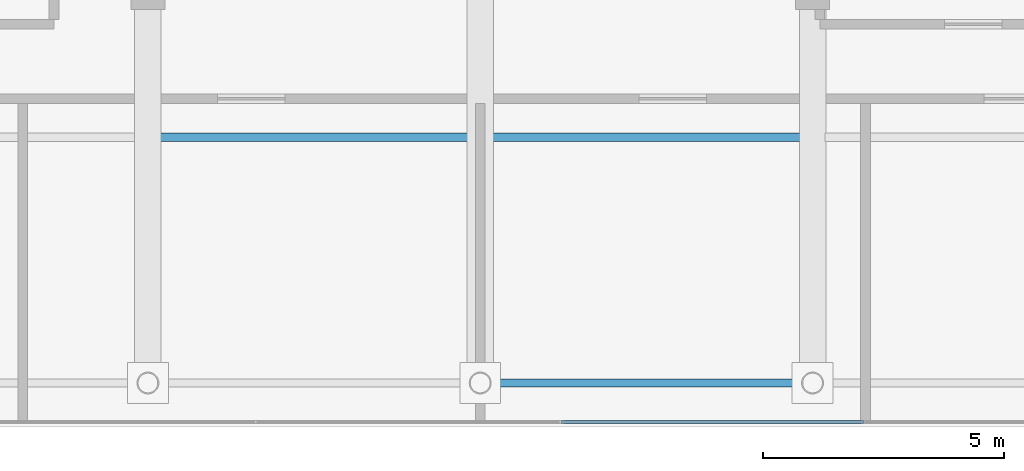
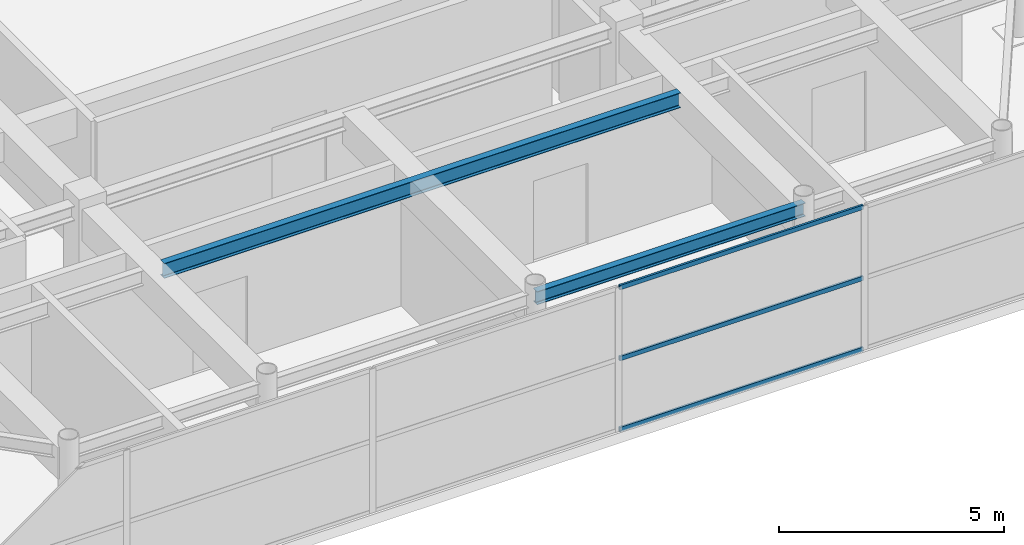
# One storey, part 8 of 32: 3 members, 2 beams, 1 element without a shape of its own.
"""IFC4 building model written with IfcOpenShell, lengths in metres."""

from ifc_helpers import new_model, si_unit, direction, frame, origin, origin_2d, place, context, subcontext, project, spatial, hollow_rectangle, i_section, extrude, source, transform, mapped, material, layer, layer_set, material_profile, profile_set, type_object, element, aggregate, save


model = new_model("IFC4")

# Units and contexts
model_context = context("Model", 3, precision=1e-05, world=origin(), true_north=direction((0.0, 1.0)))
body_context = subcontext(model_context, "Body", "Model", "MODEL_VIEW")
ifc_project = project(units=[si_unit("LENGTHUNIT", "METRE"), si_unit("AREAUNIT", "SQUARE_METRE"), si_unit("VOLUMEUNIT", "CUBIC_METRE"), si_unit("PLANEANGLEUNIT", "RADIAN"), si_unit("MASSUNIT", "GRAM", prefix="KILO")], contexts=[model_context])

# Site, building, storey
site_placement = place(None, origin())
site = spatial("IfcSite", under=ifc_project, at=site_placement, CompositionType="ELEMENT")
building_placement = place(site_placement, origin())
building = spatial("IfcBuilding", under=site, at=building_placement, Name="Khoralis Quay Care Tower", CompositionType="ELEMENT")
storey_placement = place(building_placement, frame((0.0, 0.0, 293.699951171875)))
storey = spatial("IfcBuildingStorey", under=building, at=storey_placement, Name="L77", CompositionType="ELEMENT", Elevation=293.699951171875)

# Beams
ifc_material_1 = material(Name="Steel S355", Category="steel")
ifc_material_profile_1 = material_profile(ifc_material_1, i_section(OverallWidth=0.169921875, OverallDepth=0.360107421875, WebThickness=0.008056640625, FlangeThickness=0.0126953125, FilletRadius=0.01806640625, at=origin_2d()), Name="Steel S355")
ifc_profile_set_1 = profile_set([ifc_material_profile_1], Name="Steel S355")
beam_type_1 = type_object("IfcBeamType", Name="BM-IPE360", PredefinedType="SPANDREL", material=ifc_profile_set_1)
shared_shape_1 = source(origin(), body_context, "Body", "SweptSolid", [
    extrude(i_section(OverallWidth=0.169921875, OverallDepth=0.360107421875, WebThickness=0.008056640625, FlangeThickness=0.0126953125, FilletRadius=0.01806640625, at=origin_2d()), origin(), (0.0, 0.0, 1.0), 6.89990234375),
])
beam_1_placement = place(storey_placement, frame((24.0, 3.89990234375, 3.739990234375), z_axis=(1.0, 0.0, 0.0), x_axis=(0.0, 1.0, 0.0)))
element("IfcBeam", 1, at=beam_1_placement, inside=storey, type_object=beam_type_1, Name="BM-TSP-L77-03", PredefinedType="SPANDREL", context=body_context, shape_type="MappedRepresentation", body=[
    mapped(shared_shape_1, transform((0.0, 0.0, 0.0), scale=1.0)),
])
ifc_material_profile_2 = material_profile(ifc_material_1, i_section(OverallWidth=0.177978515625, OverallDepth=0.406982421875, WebThickness=0.0078125, FlangeThickness=0.0126953125, FilletRadius=0.012939453125, at=origin_2d()), Name="Steel S355")
ifc_profile_set_2 = profile_set([ifc_material_profile_2], Name="Steel S355")
beam_type_2 = type_object("IfcBeamType", Name="BM-W410X60", PredefinedType="JOIST", material=ifc_profile_set_2)
shared_shape_2 = source(origin(), body_context, "Body", "SweptSolid", [
    extrude(i_section(OverallWidth=0.177978515625, OverallDepth=0.406982421875, WebThickness=0.0078125, FlangeThickness=0.0126953125, FilletRadius=0.012939453125, at=origin_2d()), origin(), (0.0, 0.0, 1.0), 13.27392578125),
])
beam_2_placement = place(storey_placement, frame((17.363037109375, 9.0, 3.716552734375), z_axis=(1.0, 0.0, 0.0), x_axis=(0.0, 1.0, 0.0)))
element("IfcBeam", 2, at=beam_2_placement, inside=storey, type_object=beam_type_2, Name="BM-TJS-L77-23", PredefinedType="JOIST", context=body_context, shape_type="MappedRepresentation", body=[
    mapped(shared_shape_2, transform((0.0, 0.0, 0.0), scale=1.0)),
])

# Curtain wall, members
ifc_material_2 = material(Name="Pale anodised aluminium", Category="aluminium")
ifc_layer = layer(ifc_material_2, 0.199951171875)
ifc_layer_set = layer_set([ifc_layer], Name="Pale anodised aluminium")
curtain_wall_type = type_object("IfcCurtainWallType", Name="CW-SYS-LANTERN", PredefinedType="NOTDEFINED", material=ifc_layer_set)
curtain_wall_placement = place(storey_placement, origin())
curtain_wall = element("IfcCurtainWall", 3, at=curtain_wall_placement, inside=storey, type_object=curtain_wall_type, Name="L77 Unitised Curtain Wall CW-LN-L77-01", PredefinedType="NOTDEFINED")
ifc_material_profile_3 = material_profile(ifc_material_2, hollow_rectangle(XDim=0.054931640625, YDim=0.1201171875, WallThickness=0.00390625, at=origin_2d()), Name="Pale anodised aluminium")
ifc_profile_set_3 = profile_set([ifc_material_profile_3], Name="Pale anodised aluminium")
member_type = type_object("IfcMemberType", Name="CW-TRN-120", PredefinedType="USERDEFINED", material=ifc_profile_set_3)
shared_shape_3 = source(origin(), body_context, "Body", "SweptSolid", [
    extrude(hollow_rectangle(XDim=0.054931640625, YDim=0.1201171875, WallThickness=0.00390625, at=origin_2d()), origin(), (0.0, 0.0, 1.0), 6.26416015625),
])
member_1_placement = place(storey_placement, frame((25.69189453125, 3.090087890625, 0.030029296875), z_axis=(1.0, 0.0, 0.0), x_axis=(0.0, 1.0, 0.0)))
member_1 = element("IfcMember", 4, at=member_1_placement, type_object=member_type, Name="CW5 transom 4.1", ObjectType="TRANSOM", PredefinedType="USERDEFINED", context=body_context, shape_type="MappedRepresentation", body=[
    mapped(shared_shape_3, transform((0.0, 0.0, 0.0), scale=1.0)),
])
member_2_placement = place(storey_placement, frame((25.69189453125, 3.090087890625, 1.9599609375), z_axis=(1.0, 0.0, 0.0), x_axis=(0.0, 1.0, 0.0)))
member_2 = element("IfcMember", 5, at=member_2_placement, type_object=member_type, Name="CW5 transom 4.2", ObjectType="TRANSOM", PredefinedType="USERDEFINED", context=body_context, shape_type="MappedRepresentation", body=[
    mapped(shared_shape_3, transform((0.0, 0.0, 0.0), scale=1.0)),
])
member_3_placement = place(storey_placement, frame((25.69189453125, 3.090087890625, 3.89013671875), z_axis=(1.0, 0.0, 0.0), x_axis=(0.0, 1.0, 0.0)))
member_3 = element("IfcMember", 6, at=member_3_placement, type_object=member_type, Name="CW5 transom 4.3", ObjectType="TRANSOM", PredefinedType="USERDEFINED", context=body_context, shape_type="MappedRepresentation", body=[
    mapped(shared_shape_3, transform((0.0, 0.0, 0.0), scale=1.0)),
])
aggregate(curtain_wall, [member_1, member_2, member_3])

save(model, "model.ifc")
